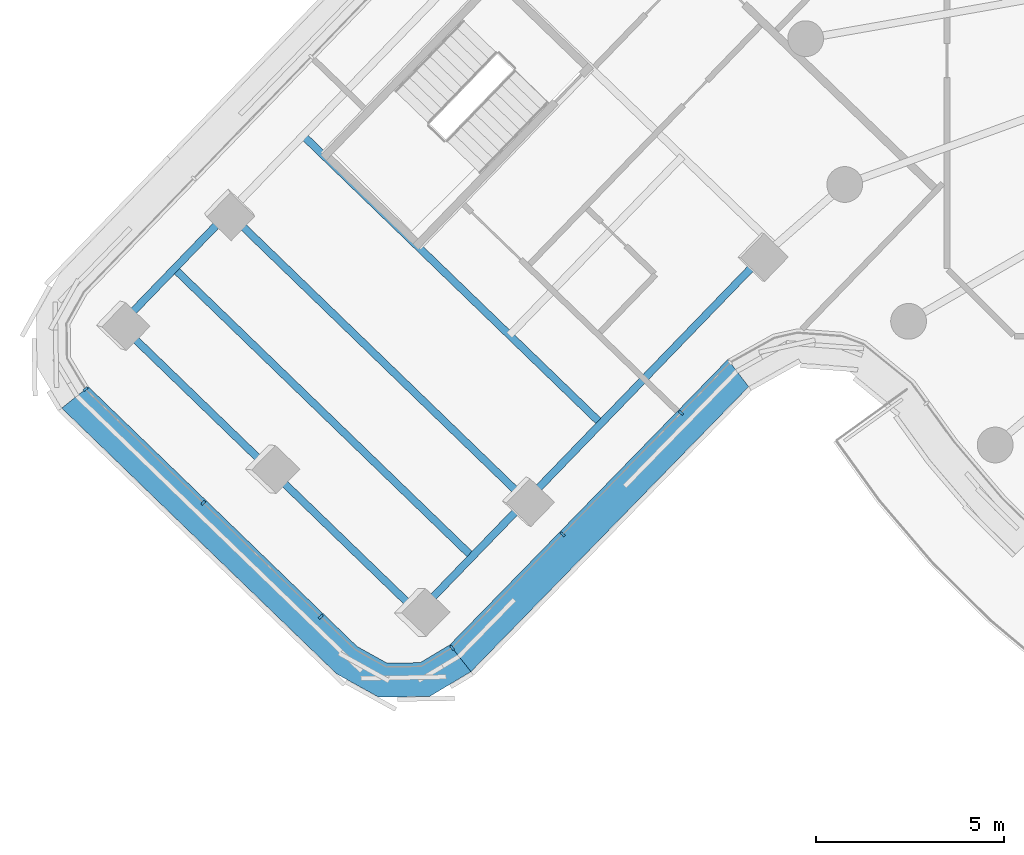
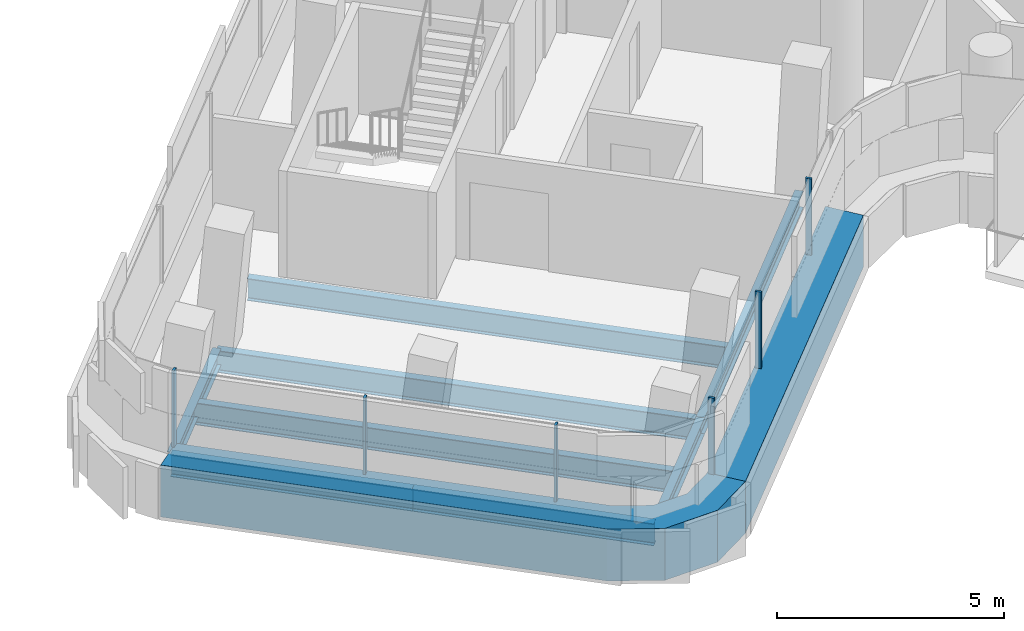
# One storey, part 2 of 31: 8 beams, 8 members, 2 elements without a shape of their own.
"""IFC4 building model written with IfcOpenShell, lengths in metres."""

from ifc_helpers import new_model, si_unit, direction, frame, origin, origin_2d, place, context, subcontext, project, spatial, polyline, rectangle, i_section, outline, extrude, material, layer, layer_set, material_profile, profile_set, type_object, element, aggregate, save


model = new_model("IFC4")

# Units and contexts
model_context = context("Model", 3, precision=1e-05, world=origin(), true_north=direction((0.0, 1.0)))
body_context = subcontext(model_context, "Body", "Model", "MODEL_VIEW")
ifc_project = project(units=[si_unit("LENGTHUNIT", "METRE"), si_unit("AREAUNIT", "SQUARE_METRE"), si_unit("VOLUMEUNIT", "CUBIC_METRE"), si_unit("PLANEANGLEUNIT", "RADIAN"), si_unit("MASSUNIT", "GRAM", prefix="KILO")], contexts=[model_context])

# Site, building, storey
site_placement = place(None, origin())
site = spatial("IfcSite", under=ifc_project, at=site_placement, CompositionType="ELEMENT")
building_placement = place(site_placement, origin())
building = spatial("IfcBuilding", under=site, at=building_placement, Name="Tamarind Cross Interchange Tower", CompositionType="ELEMENT")
storey_placement = place(building_placement, frame((0.0, 0.0, 200.5)))
storey = spatial("IfcBuildingStorey", under=building, at=storey_placement, Name="L50", CompositionType="ELEMENT", Elevation=200.5)

# Beams
ifc_material_1 = material(Name="Steel Q355B", Category="steel")
ifc_material_profile_1 = material_profile(ifc_material_1, i_section(OverallWidth=0.198974609375, OverallDepth=0.446044921875, WebThickness=0.008056640625, FlangeThickness=0.011962890625, FilletRadius=0.012939453125, at=origin_2d()), Name="HN 446x199x8x12")
ifc_profile_set_1 = profile_set([ifc_material_profile_1], Name="Steel Q355B")
beam_type_1 = type_object("IfcBeamType", Name="Composite beam HN 446x199x8x12 Q355B", PredefinedType="BEAM", material=ifc_profile_set_1)
for number, where, z_axis, x_axis, name in (
    (1, (-40.8544921875, -11.59130859375, -0.363037109375), (0.695029212903, 0.718981497127, 0.0), (-0.718981497127, 0.695029212903, 0.0), "Beam W-edgeem5"),
    (2, (-32.945556640625, -19.236328125, -0.363037109375), (0.695058694533, 0.718952996484, 0.0), (-0.718952996484, 0.695058694533, 0.0), "Beam W-edgeep2"),
):
    element("IfcBeam", number, at=place(storey_placement, frame(where, z_axis=z_axis, x_axis=x_axis)), inside=storey, type_object=beam_type_1, Name=name, PredefinedType="BEAM", context=body_context, shape_type="SweptSolid", body=[
        extrude(i_section(OverallWidth=0.198974609375, OverallDepth=0.446044921875, WebThickness=0.008056640625, FlangeThickness=0.011962890625, FilletRadius=0.012939453125, at=origin_2d()), origin(), (0.0, 0.0, 1.0), 4.13818359375),
    ])
beam_1_placement = place(storey_placement, frame((-30.0693359375, -16.26123046875, -0.363037109375), z_axis=(0.695015085299, 0.718995153813, 0.0), x_axis=(-0.718995153813, 0.695015085299, 0.0)))
element("IfcBeam", 3, at=beam_1_placement, inside=storey, type_object=beam_type_1, Name="Beam W-edgeep3", PredefinedType="BEAM", context=body_context, shape_type="SweptSolid", body=[
    extrude(i_section(OverallWidth=0.198974609375, OverallDepth=0.446044921875, WebThickness=0.008056640625, FlangeThickness=0.011962890625, FilletRadius=0.012939453125, at=origin_2d()), origin(), (0.0, 0.0, 1.0), 9.0),
])
ifc_material_profile_2 = material_profile(ifc_material_1, i_section(OverallWidth=0.198974609375, OverallDepth=0.595947265625, WebThickness=0.010009765625, FlangeThickness=0.014892578125, FilletRadius=0.012939453125, at=origin_2d()), Name="HN 596x199x10x15")
ifc_profile_set_2 = profile_set([ifc_material_profile_2], Name="Steel Q355B")
beam_type_2 = type_object("IfcBeamType", Name="Composite beam HN 596x199x10x15 Q355B", PredefinedType="BEAM", material=ifc_profile_set_2)
beam_2_placement = place(storey_placement, frame((-40.8544921875, -11.59130859375, -0.43798828125), z_axis=(0.719012036135, -0.694997620062, 0.0), x_axis=(0.694997620062, 0.719012036135, 0.0)))
element("IfcBeam", 4, at=beam_2_placement, inside=storey, type_object=beam_type_2, Name="Beam W-tip0", PredefinedType="BEAM", context=body_context, shape_type="SweptSolid", body=[
    extrude(i_section(OverallWidth=0.198974609375, OverallDepth=0.595947265625, WebThickness=0.010009765625, FlangeThickness=0.014892578125, FilletRadius=0.012939453125, at=origin_2d()), origin(), (0.0, 0.0, 1.0), 5.5),
])
beam_3_placement = place(storey_placement, frame((-36.89990234375, -15.413818359375, -0.43798828125), z_axis=(0.718990594288, -0.69501980211, 0.0), x_axis=(0.69501980211, 0.718990594288, 0.0)))
element("IfcBeam", 5, at=beam_3_placement, inside=storey, type_object=beam_type_2, Name="Beam W-tip1", PredefinedType="BEAM", context=body_context, shape_type="SweptSolid", body=[
    extrude(i_section(OverallWidth=0.198974609375, OverallDepth=0.595947265625, WebThickness=0.010009765625, FlangeThickness=0.014892578125, FilletRadius=0.012939453125, at=origin_2d()), origin(), (0.0, 0.0, 1.0), 5.499755859375),
])
for number, where, z_axis, x_axis, name in (
    (6, (-35.99755859375, -6.56689453125, -0.43798828125), (0.719001315469, -0.695008710992, 0.0), (0.695008710992, 0.719001315469, 0.0), "Beam W-x364"),
    (7, (-37.978271484375, -8.615966796875, -0.43798828125), (0.718990224524, -0.695020184627, 0.0), (0.695020184627, 0.718990224524, 0.0), "Beam W-x393"),
    (8, (-39.416259765625, -10.103515625, -0.43798828125), (0.718990224524, -0.695020184627, 0.0), (0.695020184627, 0.718990224524, 0.0), "Beam W-x414"),
):
    element("IfcBeam", number, at=place(storey_placement, frame(where, z_axis=z_axis, x_axis=x_axis)), inside=storey, type_object=beam_type_2, Name=name, PredefinedType="BEAM", context=body_context, shape_type="SweptSolid", body=[
        extrude(i_section(OverallWidth=0.198974609375, OverallDepth=0.595947265625, WebThickness=0.010009765625, FlangeThickness=0.014892578125, FilletRadius=0.012939453125, at=origin_2d()), origin(), (0.0, 0.0, 1.0), 11.0),
    ])

# Curtain wall, member
ifc_material_2 = material(Name="Aluminium 6063-T6", Category="aluminium")
ifc_layer = layer(ifc_material_2, 0.139892578125)
ifc_layer_set = layer_set([ifc_layer], Name="Aluminium 6063-T6")
curtain_wall_type = type_object("IfcCurtainWallType", Name="Hotel curtain wall, 4.5 m bays", PredefinedType="NOTDEFINED", material=ifc_layer_set)
curtain_wall_1_placement = place(storey_placement, origin())
curtain_wall_1 = element("IfcCurtainWall", 9, at=curtain_wall_1_placement, inside=storey, type_object=curtain_wall_type, Name="CWS-L50-00", PredefinedType="NOTDEFINED")
ifc_material_3 = material(Name="Aluminium and insulated spandrel panel", Category="aluminium")
member_type_1 = type_object("IfcMemberType", Name="Floor-edge blade transom", PredefinedType="USERDEFINED", material=ifc_material_3)
member_1_placement = place(storey_placement, origin())
member_1 = element("IfcMember", 10, at=member_1_placement, type_object=member_type_1, Name="CWT-L50-00", ObjectType="TRANSOM", PredefinedType="USERDEFINED", context=body_context, shape_type="SweptSolid", body=[
    extrude(outline(polyline([(-41.69677734375, -13.23876953125), (-34.5634765625, -20.134033203125), (-33.76318359375, -20.578369140625), (-32.888671875, -20.5634765625), (-32.103271484375, -20.092041015625), (-31.540283203125, -20.8037109375), (-32.63232421875, -21.459228515625), (-33.989013671875, -21.482177734375), (-35.10400390625, -20.863525390625), (-42.407470703125, -13.803466796875), (-41.69677734375, -13.23876953125)])), origin(), (0.0, 0.0, 1.0), 1.39990234375),
])

curtain_wall_2_placement = place(storey_placement, origin())
curtain_wall_2 = element("IfcCurtainWall", 11, at=curtain_wall_2_placement, inside=storey, type_object=curtain_wall_type, Name="CWS-L50-01", PredefinedType="NOTDEFINED")
member_2_placement = place(storey_placement, origin())
member_2 = element("IfcMember", 12, at=member_2_placement, type_object=member_type_1, Name="CWT-L50-01", ObjectType="TRANSOM", PredefinedType="USERDEFINED", context=body_context, shape_type="SweptSolid", body=[
    extrude(outline(polyline([(-32.103271484375, -20.092041015625), (-24.718505859375, -12.51318359375), (-24.1650390625, -13.23486328125), (-31.540283203125, -20.8037109375), (-32.103271484375, -20.092041015625)])), origin(), (0.0, 0.0, 1.0), 1.39990234375),
])

# Member
ifc_material_profile_3 = material_profile(ifc_material_2, rectangle(XDim=0.06005859375, YDim=0.139892578125, at=origin_2d()), Name="Mullion CW2")
ifc_profile_set_3 = profile_set([ifc_material_profile_3], Name="Aluminium 6063-T6")
member_type_2 = type_object("IfcMemberType", Name="Mullion CW2", PredefinedType="MULLION", material=ifc_profile_set_3)
member_3_placement = place(storey_placement, frame((-41.775634765625, -13.301513671875, 1.39990234375), z_axis=(0.0, 0.0, 1.0), x_axis=(0.622121176246, -0.782920967957, 0.0)))
member_3 = element("IfcMember", 13, at=member_3_placement, type_object=member_type_2, Name="CWM-L50-00-00", PredefinedType="MULLION", context=body_context, shape_type="SweptSolid", body=[
    extrude(rectangle(XDim=0.06005859375, YDim=0.139892578125, at=origin_2d()), origin(), (0.0, 0.0, 1.0), 2.06005859375),
])

member_4_placement = place(storey_placement, frame((-38.651123046875, -16.32177734375, 1.39990234375), z_axis=(0.0, 0.0, 1.0), x_axis=(0.718990536097, -0.695019862308, 0.0)))
member_4 = element("IfcMember", 14, at=member_4_placement, type_object=member_type_2, Name="CWM-L50-00-01", PredefinedType="MULLION", context=body_context, shape_type="SweptSolid", body=[
    extrude(rectangle(XDim=0.06005859375, YDim=0.139892578125, at=origin_2d()), origin(), (0.0, 0.0, 1.0), 2.06005859375),
])

member_5_placement = place(storey_placement, frame((-35.52685546875, -19.342041015625, 1.39990234375), z_axis=(0.0, 0.0, 1.0), x_axis=(0.718990536097, -0.695019862308, 0.0)))
member_5 = element("IfcMember", 15, at=member_5_placement, type_object=member_type_2, Name="CWM-L50-00-02", PredefinedType="MULLION", context=body_context, shape_type="SweptSolid", body=[
    extrude(rectangle(XDim=0.06005859375, YDim=0.139892578125, at=origin_2d()), origin(), (0.0, 0.0, 1.0), 2.06005859375),
])

aggregate(curtain_wall_1, [member_3, member_4, member_5, member_1])

member_6_placement = place(storey_placement, frame((-32.040771484375, -20.171142578125, 1.39990234375), z_axis=(0.0, 0.0, 1.0), x_axis=(0.784159148807, 0.620559770966, 0.0)))
member_6 = element("IfcMember", 16, at=member_6_placement, type_object=member_type_2, Name="CWM-L50-01-00", PredefinedType="MULLION", context=body_context, shape_type="SweptSolid", body=[
    extrude(rectangle(XDim=0.06005859375, YDim=0.139892578125, at=origin_2d()), origin(), (0.0, 0.0, 1.0), 2.06005859375),
])

member_7_placement = place(storey_placement, frame((-29.103271484375, -17.15625, 1.39990234375), z_axis=(0.0, 0.0, 1.0), x_axis=(0.6978798813, 0.716214822017, 0.0)))
member_7 = element("IfcMember", 17, at=member_7_placement, type_object=member_type_2, Name="CWM-L50-01-01", PredefinedType="MULLION", context=body_context, shape_type="SweptSolid", body=[
    extrude(rectangle(XDim=0.06005859375, YDim=0.139892578125, at=origin_2d()), origin(), (0.0, 0.0, 1.0), 2.06005859375),
])

member_8_placement = place(storey_placement, frame((-25.9619140625, -13.932373046875, 1.39990234375), z_axis=(0.0, 0.0, 1.0), x_axis=(0.6978798813, 0.716214822017, 0.0)))
member_8 = element("IfcMember", 18, at=member_8_placement, type_object=member_type_2, Name="CWM-L50-01-02", PredefinedType="MULLION", context=body_context, shape_type="SweptSolid", body=[
    extrude(rectangle(XDim=0.06005859375, YDim=0.139892578125, at=origin_2d()), origin(), (0.0, 0.0, 1.0), 2.06005859375),
])

aggregate(curtain_wall_2, [member_6, member_7, member_8, member_2])

save(model, "model.ifc")
